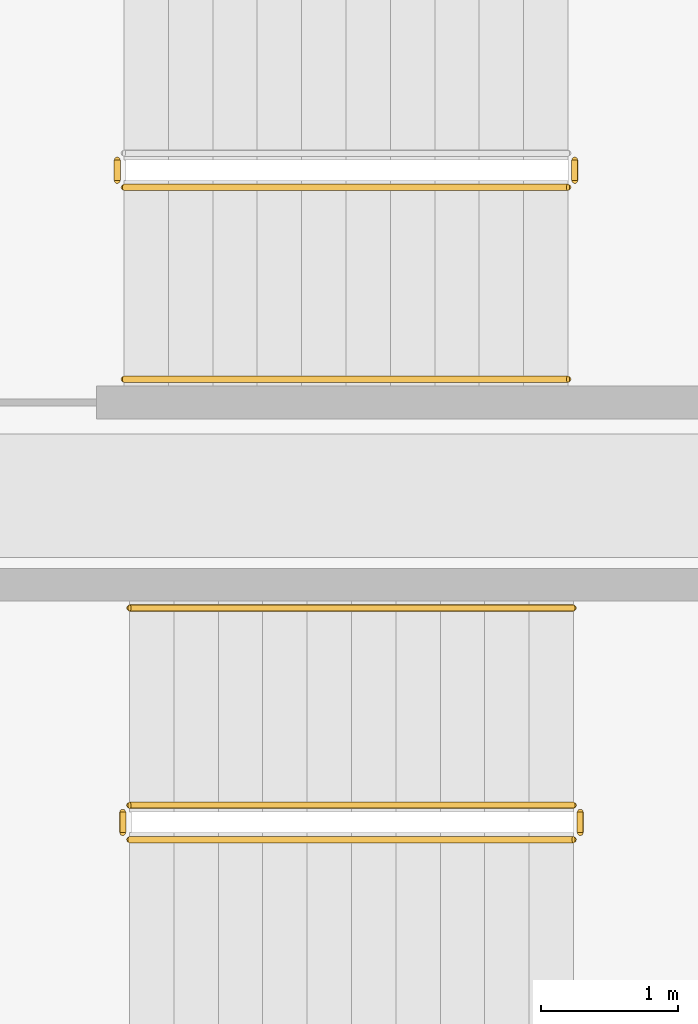
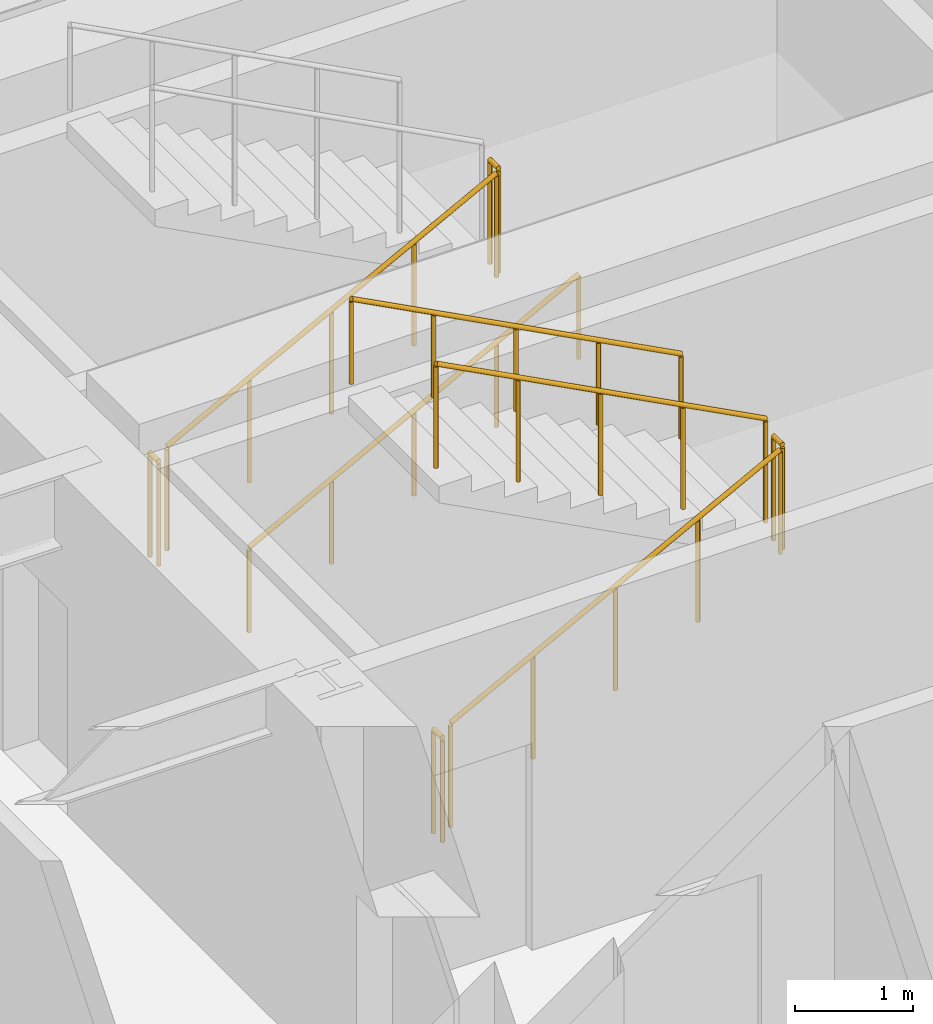
# One storey, part 10 of 11: 9 railings.
"""IFC4 building model written with IfcOpenShell, lengths in metres."""

from ifc_helpers import new_model, si_unit, direction, frame, origin, origin_2d, place, context, subcontext, project, spatial, circle, extrude, material, type_object, element, save


model = new_model("IFC4")

# Units and contexts
model_context = context("Model", 3, precision=1e-05, world=origin(), true_north=direction((0.0, 1.0)))
body_context = subcontext(model_context, "Body", "Model", "MODEL_VIEW")
ifc_project = project(units=[si_unit("LENGTHUNIT", "METRE"), si_unit("AREAUNIT", "SQUARE_METRE"), si_unit("VOLUMEUNIT", "CUBIC_METRE"), si_unit("PLANEANGLEUNIT", "RADIAN"), si_unit("MASSUNIT", "GRAM", prefix="KILO")], contexts=[model_context])

# Site, building, storey
site_placement = place(None, origin())
site = spatial("IfcSite", under=ifc_project, at=site_placement, CompositionType="ELEMENT")
building_placement = place(site_placement, origin())
building = spatial("IfcBuilding", under=site, at=building_placement, Name="Kolvaren Arena Tower", CompositionType="ELEMENT")
storey_placement = place(building_placement, frame((0.0, 0.0, 103.449951171875)))
storey = spatial("IfcBuildingStorey", under=building, at=storey_placement, Name="L23", CompositionType="ELEMENT", Elevation=103.449951171875)

# Railings
ifc_material_1 = material(Name="Painted galvanized steel", Category="steel")
railing_type_1 = type_object("IfcRailingType", Name="GUARD-ST-110", PredefinedType="GUARDRAIL", material=ifc_material_1)
railing_1_placement = place(storey_placement, frame((52.719970703125, 31.639892578125, 0.17041015625)))
element("IfcRailing", 1, at=railing_1_placement, inside=storey, type_object=railing_type_1, Name="L23 ST-E1 stair guard 1", PredefinedType="GUARDRAIL", context=body_context, shape_type="SweptSolid", body=[
    extrude(circle(Radius=0.02392578125, at=origin_2d()), frame((0.0, 0.0, 1.076171875), z_axis=(0.884993431791, 0.0, 0.465603506952), x_axis=(0.0, 1.0, 0.0)), (0.0, 0.0, 1.0), 3.6611328125),
    extrude(circle(Radius=0.02099609375, at=origin_2d()), origin(), (0.0, 0.0, 1.0), 1.052001953125),
    extrude(circle(Radius=0.02099609375, at=origin_2d()), frame((0.81005859375, 0.0, 0.42626953125)), (0.0, 0.0, 1.0), 1.052001953125),
    extrude(circle(Radius=0.02099609375, at=origin_2d()), frame((1.6201171875, 0.0, 0.852294921875)), (0.0, 0.0, 1.0), 1.052001953125),
    extrude(circle(Radius=0.02099609375, at=origin_2d()), frame((2.429931640625, 0.0, 1.2783203125)), (0.0, 0.0, 1.0), 1.052001953125),
    extrude(circle(Radius=0.02099609375, at=origin_2d()), frame((3.239990234375, 0.0, 1.70458984375)), (0.0, 0.0, 1.0), 1.052001953125),
])
railing_2_placement = place(storey_placement, frame((56.010009765625, 31.68994140625, 1.875)))
element("IfcRailing", 2, at=railing_2_placement, inside=storey, type_object=railing_type_1, Name="L23 ST-E1 stair guard 2", PredefinedType="GUARDRAIL", context=body_context, shape_type="SweptSolid", body=[
    extrude(circle(Radius=0.02392578125, at=origin_2d()), frame((0.0, 0.0, 1.076171875), z_axis=(0.0, 1.0, 0.0), x_axis=(-1.0, 0.0, 0.0)), (0.0, 0.0, 1.0), 0.150146484375),
    extrude(circle(Radius=0.02099609375, at=origin_2d()), origin(), (0.0, 0.0, 1.0), 1.052001953125),
    extrude(circle(Radius=0.02099609375, at=origin_2d()), frame((0.0, 0.150146484375, 0.0)), (0.0, 0.0, 1.0), 1.052001953125),
])
railing_3_placement = place(storey_placement, frame((55.9599609375, 31.889892578125, 2.04541015625)))
element("IfcRailing", 3, at=railing_3_placement, inside=storey, type_object=railing_type_1, Name="L23 ST-E1 stair guard 3", PredefinedType="GUARDRAIL", context=body_context, shape_type="SweptSolid", body=[
    extrude(circle(Radius=0.02392578125, at=origin_2d()), frame((0.0, 0.0, 1.076171875), z_axis=(-0.884993431791, 0.0, 0.465603506952), x_axis=(0.0, -1.0, 0.0)), (0.0, 0.0, 1.0), 3.6611328125),
    extrude(circle(Radius=0.02099609375, at=origin_2d()), origin(), (0.0, 0.0, 1.0), 1.052001953125),
    extrude(circle(Radius=0.02099609375, at=origin_2d()), frame((-0.81005859375, 0.0, 0.42626953125)), (0.0, 0.0, 1.0), 1.052001953125),
    extrude(circle(Radius=0.02099609375, at=origin_2d()), frame((-1.6201171875, 0.0, 0.852294921875)), (0.0, 0.0, 1.0), 1.052001953125),
    extrude(circle(Radius=0.02099609375, at=origin_2d()), frame((-2.429931640625, 0.0, 1.2783203125)), (0.0, 0.0, 1.0), 1.052001953125),
    extrude(circle(Radius=0.02099609375, at=origin_2d()), frame((-3.239990234375, 0.0, 1.70458984375)), (0.0, 0.0, 1.0), 1.052001953125),
])
railing_4_placement = place(storey_placement, frame((52.669921875, 31.68994140625, 0.0)))
element("IfcRailing", 4, at=railing_4_placement, inside=storey, type_object=railing_type_1, Name="L23 ST-E1 stair guard 4", PredefinedType="GUARDRAIL", context=body_context, shape_type="SweptSolid", body=[
    extrude(circle(Radius=0.02392578125, at=origin_2d()), frame((0.0, 0.0, 1.076171875), z_axis=(0.0, 1.0, 0.0), x_axis=(-1.0, 0.0, 0.0)), (0.0, 0.0, 1.0), 0.150146484375),
    extrude(circle(Radius=0.02099609375, at=origin_2d()), origin(), (0.0, 0.0, 1.0), 1.052001953125),
    extrude(circle(Radius=0.02099609375, at=origin_2d()), frame((0.0, 0.150146484375, 0.0)), (0.0, 0.0, 1.0), 1.052001953125),
])
railing_5_placement = place(storey_placement, frame((52.679931640625, 36.39990234375, 0.17041015625)))
element("IfcRailing", 5, at=railing_5_placement, inside=storey, type_object=railing_type_1, Name="L23 ST-E2 stair guard 1", PredefinedType="GUARDRAIL", context=body_context, shape_type="SweptSolid", body=[
    extrude(circle(Radius=0.02392578125, at=origin_2d()), frame((0.0, 0.0, 1.076171875), z_axis=(0.884993431791, 0.0, 0.465603506952), x_axis=(0.0, 1.0, 0.0)), (0.0, 0.0, 1.0), 3.6611328125),
    extrude(circle(Radius=0.02099609375, at=origin_2d()), origin(), (0.0, 0.0, 1.0), 1.052001953125),
    extrude(circle(Radius=0.02099609375, at=origin_2d()), frame((0.81005859375, 0.0, 0.42626953125)), (0.0, 0.0, 1.0), 1.052001953125),
    extrude(circle(Radius=0.02099609375, at=origin_2d()), frame((1.6201171875, 0.0, 0.852294921875)), (0.0, 0.0, 1.0), 1.052001953125),
    extrude(circle(Radius=0.02099609375, at=origin_2d()), frame((2.429931640625, 0.0, 1.2783203125)), (0.0, 0.0, 1.0), 1.052001953125),
    extrude(circle(Radius=0.02099609375, at=origin_2d()), frame((3.239990234375, 0.0, 1.70458984375)), (0.0, 0.0, 1.0), 1.052001953125),
])
for number, where, name in (
    (6, (55.969970703125, 36.449951171875, 1.875), "L23 ST-E2 stair guard 2"),
    (7, (52.6298828125, 36.449951171875, 0.0), "L23 ST-E2 stair guard 4"),
):
    element("IfcRailing", number, at=place(storey_placement, frame(where)), inside=storey, type_object=railing_type_1, Name=name, PredefinedType="GUARDRAIL", context=body_context, shape_type="SweptSolid", body=[
        extrude(circle(Radius=0.02392578125, at=origin_2d()), frame((0.0, 0.0, 1.076171875), z_axis=(0.0, 1.0, 0.0), x_axis=(-1.0, 0.0, 0.0)), (0.0, 0.0, 1.0), 0.150146484375),
        extrude(circle(Radius=0.02099609375, at=origin_2d()), origin(), (0.0, 0.0, 1.0), 1.052001953125),
        extrude(circle(Radius=0.02099609375, at=origin_2d()), frame((0.0, 0.150146484375, 0.0)), (0.0, 0.0, 1.0), 1.052001953125),
    ])
ifc_material_2 = material(Name="Brushed stainless steel handrail", Category="steel")
railing_type_2 = type_object("IfcRailingType", Name="HRAIL-900", PredefinedType="HANDRAIL", material=ifc_material_2)
railing_6_placement = place(storey_placement, frame((55.9599609375, 33.330078125, 2.04541015625)))
element("IfcRailing", 8, at=railing_6_placement, inside=storey, type_object=railing_type_2, Name="L23 ST-E1 stair handrail 2", PredefinedType="HANDRAIL", context=body_context, shape_type="SweptSolid", body=[
    extrude(circle(Radius=0.02392578125, at=origin_2d()), frame((0.0, 0.0, 0.8759765625), z_axis=(-0.884993431791, 0.0, 0.465603506952), x_axis=(0.0, -1.0, 0.0)), (0.0, 0.0, 1.0), 3.6611328125),
    extrude(circle(Radius=0.02099609375, at=origin_2d()), origin(), (0.0, 0.0, 1.0), 0.851806640625),
    extrude(circle(Radius=0.02099609375, at=origin_2d()), frame((-0.81005859375, 0.0, 0.42626953125)), (0.0, 0.0, 1.0), 0.851806640625),
    extrude(circle(Radius=0.02099609375, at=origin_2d()), frame((-1.6201171875, 0.0, 0.852294921875)), (0.0, 0.0, 1.0), 0.851806640625),
    extrude(circle(Radius=0.02099609375, at=origin_2d()), frame((-2.429931640625, 0.0, 1.2783203125)), (0.0, 0.0, 1.0), 0.851806640625),
    extrude(circle(Radius=0.02099609375, at=origin_2d()), frame((-3.239990234375, 0.0, 1.70458984375)), (0.0, 0.0, 1.0), 0.851806640625),
])
railing_7_placement = place(storey_placement, frame((52.679931640625, 35.0, 0.17041015625)))
element("IfcRailing", 9, at=railing_7_placement, inside=storey, type_object=railing_type_2, Name="L23 ST-E2 stair handrail 1", PredefinedType="HANDRAIL", context=body_context, shape_type="SweptSolid", body=[
    extrude(circle(Radius=0.02392578125, at=origin_2d()), frame((0.0, 0.0, 0.8759765625), z_axis=(0.884993431791, 0.0, 0.465603506952), x_axis=(0.0, 1.0, 0.0)), (0.0, 0.0, 1.0), 3.6611328125),
    extrude(circle(Radius=0.02099609375, at=origin_2d()), origin(), (0.0, 0.0, 1.0), 0.851806640625),
    extrude(circle(Radius=0.02099609375, at=origin_2d()), frame((0.81005859375, 0.0, 0.42626953125)), (0.0, 0.0, 1.0), 0.851806640625),
    extrude(circle(Radius=0.02099609375, at=origin_2d()), frame((1.6201171875, 0.0, 0.852294921875)), (0.0, 0.0, 1.0), 0.851806640625),
    extrude(circle(Radius=0.02099609375, at=origin_2d()), frame((2.429931640625, 0.0, 1.2783203125)), (0.0, 0.0, 1.0), 0.851806640625),
    extrude(circle(Radius=0.02099609375, at=origin_2d()), frame((3.239990234375, 0.0, 1.70458984375)), (0.0, 0.0, 1.0), 0.851806640625),
])

save(model, "model.ifc")
